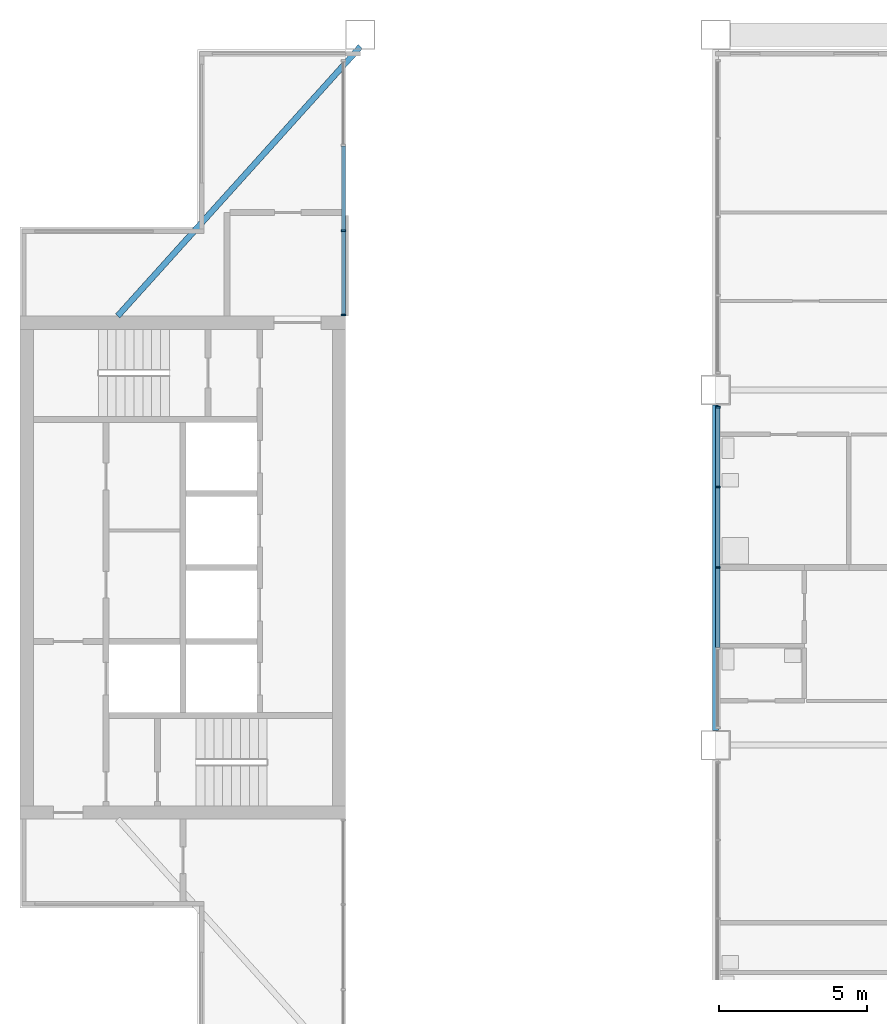
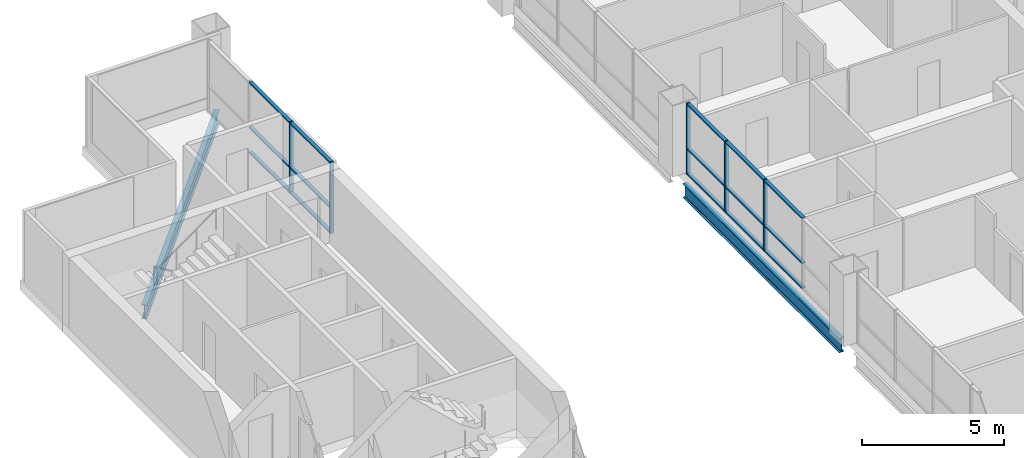
# One storey, part 3 of 13: 20 members, 2 beams, 2 elements without a shape of their own.
"""IFC4 building model written with IfcOpenShell, lengths in metres."""

from ifc_helpers import new_model, si_unit, direction, frame, origin, origin_2d, place, context, subcontext, project, spatial, rectangle, i_section, extrude, material, material_profile, profile_set, type_object, element, aggregate, save


model = new_model("IFC4")

# Units and contexts
model_context = context("Model", 3, precision=1e-05, world=origin(), true_north=direction((0.0, 1.0)))
body_context = subcontext(model_context, "Body", "Model", "MODEL_VIEW")
ifc_project = project(units=[si_unit("LENGTHUNIT", "METRE"), si_unit("AREAUNIT", "SQUARE_METRE"), si_unit("VOLUMEUNIT", "CUBIC_METRE"), si_unit("PLANEANGLEUNIT", "RADIAN"), si_unit("MASSUNIT", "GRAM", prefix="KILO")], contexts=[model_context])

# Site, building, storey
site_placement = place(None, origin())
site = spatial("IfcSite", under=ifc_project, at=site_placement, CompositionType="ELEMENT")
building_placement = place(site_placement, origin())
building = spatial("IfcBuilding", under=site, at=building_placement, Name="Kitamizu Gate Tower and Museum", CompositionType="ELEMENT")
storey_placement = place(building_placement, frame((0.0, 0.0, 252.449951171875)))
storey = spatial("IfcBuildingStorey", under=building, at=storey_placement, Name="L68", CompositionType="ELEMENT", Elevation=252.449951171875)

# Beams
ifc_material_1 = material(Name="Steel SM490A", Category="steel")
ifc_material_profile_1 = material_profile(ifc_material_1, i_section(OverallWidth=0.199951171875, OverallDepth=0.60009765625, WebThickness=0.010986328125, FlangeThickness=0.01708984375, FilletRadius=0.02197265625, at=origin_2d()), Name="H-600x200x11x17")
ifc_profile_set_1 = profile_set([ifc_material_profile_1], Name="Steel SM490A")
beam_type = type_object("IfcBeamType", Name="Floor girder FG1 H 600x200x11x17", PredefinedType="BEAM", material=ifc_profile_set_1)
beam_1_placement = place(storey_placement, frame((36.0, 24.5, -0.699951171875), z_axis=(0.0, 1.0, 0.0), x_axis=(-1.0, 0.0, 0.0)))
element("IfcBeam", 1, at=beam_1_placement, inside=storey, type_object=beam_type, Name="Floor girder FG1 x36 L68", PredefinedType="BEAM", context=body_context, shape_type="SweptSolid", body=[
    extrude(i_section(OverallWidth=0.199951171875, OverallDepth=0.60009765625, WebThickness=0.010986328125, FlangeThickness=0.01708984375, FilletRadius=0.02197265625, at=origin_2d()), origin(), (0.0, 0.0, 1.0), 11.0),
])
beam_2_placement = place(storey_placement, frame((24.0, 47.60009765625, -0.699951171875), z_axis=(-0.669409471884, -0.742893639057, 0.0), x_axis=(0.742893639057, -0.669409471884, 0.0)))
element("IfcBeam", 2, at=beam_2_placement, inside=storey, type_object=beam_type, Name="Portal flank girder N L68", PredefinedType="BEAM", context=body_context, shape_type="SweptSolid", body=[
    extrude(i_section(OverallWidth=0.199951171875, OverallDepth=0.60009765625, WebThickness=0.010986328125, FlangeThickness=0.01708984375, FilletRadius=0.02197265625, at=origin_2d()), origin(), (0.0, 0.0, 1.0), 12.24951171875),
])

# Curtain wall, members
ifc_material_2 = material(Name="Bronze anodised aluminium frame, tinted triple glazing", Category="aluminium")
curtain_wall_type = type_object("IfcCurtainWallType", Name="CURTAIN WALL TYPE C SKY AMENITY", PredefinedType="NOTDEFINED", material=ifc_material_2)
curtain_wall_1_placement = place(storey_placement, origin())
curtain_wall_1 = element("IfcCurtainWall", 3, at=curtain_wall_1_placement, inside=storey, type_object=curtain_wall_type, Name="Curtain wall CW-C portal W L68", PredefinedType="NOTDEFINED")
ifc_material_3 = material(Name="Bronze anodised aluminium", Category="aluminium")
ifc_material_profile_2 = material_profile(ifc_material_3, rectangle(XDim=0.06005859375, YDim=0.14990234375, at=origin_2d()), Name="AL 60X150")
ifc_profile_set_2 = profile_set([ifc_material_profile_2], Name="Bronze anodised aluminium")
member_type_1 = type_object("IfcMemberType", Name="MULLION 60 X 150 TYPE C", PredefinedType="MULLION", material=ifc_profile_set_2)
member_1_placement = place(storey_placement, frame((23.425048828125, 38.530029296875, 0.0), z_axis=(0.0, 0.0, 1.0), x_axis=(0.0, 1.0, 0.0)))
member_1 = element("IfcMember", 4, at=member_1_placement, type_object=member_type_1, Name="CW-C mullion 1", PredefinedType="MULLION", context=body_context, shape_type="SweptSolid", body=[
    extrude(rectangle(XDim=0.06005859375, YDim=0.14990234375, at=origin_2d()), origin(), (0.0, 0.0, 1.0), 3.050048828125),
])
member_2_placement = place(storey_placement, frame((23.425048828125, 41.38330078125, 0.0), z_axis=(0.0, 0.0, 1.0), x_axis=(0.0, 1.0, 0.0)))
member_2 = element("IfcMember", 5, at=member_2_placement, type_object=member_type_1, Name="CW-C mullion 2", PredefinedType="MULLION", context=body_context, shape_type="SweptSolid", body=[
    extrude(rectangle(XDim=0.06005859375, YDim=0.14990234375, at=origin_2d()), origin(), (0.0, 0.0, 1.0), 3.050048828125),
])

curtain_wall_2_placement = place(storey_placement, origin())
curtain_wall_2 = element("IfcCurtainWall", 6, at=curtain_wall_2_placement, inside=storey, type_object=curtain_wall_type, Name="Curtain wall CW-C portal E L68", PredefinedType="NOTDEFINED")
member_3_placement = place(storey_placement, frame((36.074951171875, 30.0, 0.0), z_axis=(0.0, 0.0, 1.0), x_axis=(0.0, 1.0, 0.0)))
member_3 = element("IfcMember", 7, at=member_3_placement, type_object=member_type_1, Name="CW-C mullion 3", PredefinedType="MULLION", context=body_context, shape_type="SweptSolid", body=[
    extrude(rectangle(XDim=0.06005859375, YDim=0.14990234375, at=origin_2d()), origin(), (0.0, 0.0, 1.0), 3.050048828125),
])
member_4_placement = place(storey_placement, frame((36.074951171875, 32.722412109375, 0.0), z_axis=(0.0, 0.0, 1.0), x_axis=(0.0, 1.0, 0.0)))
member_4 = element("IfcMember", 8, at=member_4_placement, type_object=member_type_1, Name="CW-C mullion 4", PredefinedType="MULLION", context=body_context, shape_type="SweptSolid", body=[
    extrude(rectangle(XDim=0.06005859375, YDim=0.14990234375, at=origin_2d()), origin(), (0.0, 0.0, 1.0), 3.050048828125),
])
member_5_placement = place(storey_placement, frame((36.074951171875, 35.4150390625, 0.0), z_axis=(0.0, 0.0, 1.0), x_axis=(0.0, 1.0, 0.0)))
member_5 = element("IfcMember", 9, at=member_5_placement, type_object=member_type_1, Name="CW-C mullion 5", PredefinedType="MULLION", context=body_context, shape_type="SweptSolid", body=[
    extrude(rectangle(XDim=0.06005859375, YDim=0.14990234375, at=origin_2d()), origin(), (0.0, 0.0, 1.0), 3.050048828125),
])

# Member
ifc_material_4 = material(Name="Bronze anodised aluminium", Category="aluminium")
ifc_material_profile_3 = material_profile(ifc_material_4, rectangle(XDim=0.139892578125, YDim=0.06005859375, at=origin_2d()), Name="AL 60X140")
ifc_profile_set_3 = profile_set([ifc_material_profile_3], Name="Bronze anodised aluminium")
member_type_2 = type_object("IfcMemberType", Name="TRANSOM 60 X 140 TYPE C", PredefinedType="USERDEFINED", material=ifc_profile_set_3)
member_6_placement = place(storey_placement, frame((23.425048828125, 38.56005859375, 0.030029296875), z_axis=(0.0, 1.0, 0.0), x_axis=(-1.0, 0.0, 0.0)))
member_6 = element("IfcMember", 10, at=member_6_placement, type_object=member_type_2, Name="CW-C transom 1.1", ObjectType="TRANSOM", PredefinedType="USERDEFINED", context=body_context, shape_type="SweptSolid", body=[
    extrude(rectangle(XDim=0.139892578125, YDim=0.06005859375, at=origin_2d()), origin(), (0.0, 0.0, 1.0), 2.793212890625),
])

member_7_placement = place(storey_placement, frame((23.425048828125, 38.56005859375, 1.10009765625), z_axis=(0.0, 1.0, 0.0), x_axis=(-1.0, 0.0, 0.0)))
member_7 = element("IfcMember", 11, at=member_7_placement, type_object=member_type_2, Name="CW-C transom 1.2", ObjectType="TRANSOM", PredefinedType="USERDEFINED", context=body_context, shape_type="SweptSolid", body=[
    extrude(rectangle(XDim=0.139892578125, YDim=0.06005859375, at=origin_2d()), origin(), (0.0, 0.0, 1.0), 2.793212890625),
])

member_8_placement = place(storey_placement, frame((23.425048828125, 38.56005859375, 3.02001953125), z_axis=(0.0, 1.0, 0.0), x_axis=(-1.0, 0.0, 0.0)))
member_8 = element("IfcMember", 12, at=member_8_placement, type_object=member_type_2, Name="CW-C transom 1.3", ObjectType="TRANSOM", PredefinedType="USERDEFINED", context=body_context, shape_type="SweptSolid", body=[
    extrude(rectangle(XDim=0.139892578125, YDim=0.06005859375, at=origin_2d()), origin(), (0.0, 0.0, 1.0), 2.793212890625),
])

member_9_placement = place(storey_placement, frame((23.425048828125, 41.413330078125, 0.030029296875), z_axis=(0.0, 1.0, 0.0), x_axis=(-1.0, 0.0, 0.0)))
member_9 = element("IfcMember", 13, at=member_9_placement, type_object=member_type_2, Name="CW-C transom 2.1", ObjectType="TRANSOM", PredefinedType="USERDEFINED", context=body_context, shape_type="SweptSolid", body=[
    extrude(rectangle(XDim=0.139892578125, YDim=0.06005859375, at=origin_2d()), origin(), (0.0, 0.0, 1.0), 2.8232421875),
])

member_10_placement = place(storey_placement, frame((23.425048828125, 41.413330078125, 1.10009765625), z_axis=(0.0, 1.0, 0.0), x_axis=(-1.0, 0.0, 0.0)))
member_10 = element("IfcMember", 14, at=member_10_placement, type_object=member_type_2, Name="CW-C transom 2.2", ObjectType="TRANSOM", PredefinedType="USERDEFINED", context=body_context, shape_type="SweptSolid", body=[
    extrude(rectangle(XDim=0.139892578125, YDim=0.06005859375, at=origin_2d()), origin(), (0.0, 0.0, 1.0), 2.8232421875),
])

member_11_placement = place(storey_placement, frame((23.425048828125, 41.413330078125, 3.02001953125), z_axis=(0.0, 1.0, 0.0), x_axis=(-1.0, 0.0, 0.0)))
member_11 = element("IfcMember", 15, at=member_11_placement, type_object=member_type_2, Name="CW-C transom 2.3", ObjectType="TRANSOM", PredefinedType="USERDEFINED", context=body_context, shape_type="SweptSolid", body=[
    extrude(rectangle(XDim=0.139892578125, YDim=0.06005859375, at=origin_2d()), origin(), (0.0, 0.0, 1.0), 2.8232421875),
])

aggregate(curtain_wall_1, [member_1, member_2, member_6, member_7, member_8, member_9, member_10, member_11])

member_12_placement = place(storey_placement, frame((36.074951171875, 27.3076171875, 0.030029296875), z_axis=(0.0, 1.0, 0.0), x_axis=(-1.0, 0.0, 0.0)))
member_12 = element("IfcMember", 16, at=member_12_placement, type_object=member_type_2, Name="CW-C transom 2.1", ObjectType="TRANSOM", PredefinedType="USERDEFINED", context=body_context, shape_type="SweptSolid", body=[
    extrude(rectangle(XDim=0.139892578125, YDim=0.06005859375, at=origin_2d()), origin(), (0.0, 0.0, 1.0), 2.662353515625),
])

member_13_placement = place(storey_placement, frame((36.074951171875, 27.3076171875, 1.10009765625), z_axis=(0.0, 1.0, 0.0), x_axis=(-1.0, 0.0, 0.0)))
member_13 = element("IfcMember", 17, at=member_13_placement, type_object=member_type_2, Name="CW-C transom 2.2", ObjectType="TRANSOM", PredefinedType="USERDEFINED", context=body_context, shape_type="SweptSolid", body=[
    extrude(rectangle(XDim=0.139892578125, YDim=0.06005859375, at=origin_2d()), origin(), (0.0, 0.0, 1.0), 2.662353515625),
])

member_14_placement = place(storey_placement, frame((36.074951171875, 27.3076171875, 3.02001953125), z_axis=(0.0, 1.0, 0.0), x_axis=(-1.0, 0.0, 0.0)))
member_14 = element("IfcMember", 18, at=member_14_placement, type_object=member_type_2, Name="CW-C transom 2.3", ObjectType="TRANSOM", PredefinedType="USERDEFINED", context=body_context, shape_type="SweptSolid", body=[
    extrude(rectangle(XDim=0.139892578125, YDim=0.06005859375, at=origin_2d()), origin(), (0.0, 0.0, 1.0), 2.662353515625),
])

member_15_placement = place(storey_placement, frame((36.074951171875, 30.030029296875, 0.030029296875), z_axis=(0.0, 1.0, 0.0), x_axis=(-1.0, 0.0, 0.0)))
member_15 = element("IfcMember", 19, at=member_15_placement, type_object=member_type_2, Name="CW-C transom 3.1", ObjectType="TRANSOM", PredefinedType="USERDEFINED", context=body_context, shape_type="SweptSolid", body=[
    extrude(rectangle(XDim=0.139892578125, YDim=0.06005859375, at=origin_2d()), origin(), (0.0, 0.0, 1.0), 2.662353515625),
])

member_16_placement = place(storey_placement, frame((36.074951171875, 30.030029296875, 1.10009765625), z_axis=(0.0, 1.0, 0.0), x_axis=(-1.0, 0.0, 0.0)))
member_16 = element("IfcMember", 20, at=member_16_placement, type_object=member_type_2, Name="CW-C transom 3.2", ObjectType="TRANSOM", PredefinedType="USERDEFINED", context=body_context, shape_type="SweptSolid", body=[
    extrude(rectangle(XDim=0.139892578125, YDim=0.06005859375, at=origin_2d()), origin(), (0.0, 0.0, 1.0), 2.662353515625),
])

member_17_placement = place(storey_placement, frame((36.074951171875, 30.030029296875, 3.02001953125), z_axis=(0.0, 1.0, 0.0), x_axis=(-1.0, 0.0, 0.0)))
member_17 = element("IfcMember", 21, at=member_17_placement, type_object=member_type_2, Name="CW-C transom 3.3", ObjectType="TRANSOM", PredefinedType="USERDEFINED", context=body_context, shape_type="SweptSolid", body=[
    extrude(rectangle(XDim=0.139892578125, YDim=0.06005859375, at=origin_2d()), origin(), (0.0, 0.0, 1.0), 2.662353515625),
])

member_18_placement = place(storey_placement, frame((36.074951171875, 32.75244140625, 0.030029296875), z_axis=(0.0, 1.0, 0.0), x_axis=(-1.0, 0.0, 0.0)))
member_18 = element("IfcMember", 22, at=member_18_placement, type_object=member_type_2, Name="CW-C transom 4.1", ObjectType="TRANSOM", PredefinedType="USERDEFINED", context=body_context, shape_type="SweptSolid", body=[
    extrude(rectangle(XDim=0.139892578125, YDim=0.06005859375, at=origin_2d()), origin(), (0.0, 0.0, 1.0), 2.632568359375),
])

member_19_placement = place(storey_placement, frame((36.074951171875, 32.75244140625, 1.10009765625), z_axis=(0.0, 1.0, 0.0), x_axis=(-1.0, 0.0, 0.0)))
member_19 = element("IfcMember", 23, at=member_19_placement, type_object=member_type_2, Name="CW-C transom 4.2", ObjectType="TRANSOM", PredefinedType="USERDEFINED", context=body_context, shape_type="SweptSolid", body=[
    extrude(rectangle(XDim=0.139892578125, YDim=0.06005859375, at=origin_2d()), origin(), (0.0, 0.0, 1.0), 2.632568359375),
])

member_20_placement = place(storey_placement, frame((36.074951171875, 32.75244140625, 3.02001953125), z_axis=(0.0, 1.0, 0.0), x_axis=(-1.0, 0.0, 0.0)))
member_20 = element("IfcMember", 24, at=member_20_placement, type_object=member_type_2, Name="CW-C transom 4.3", ObjectType="TRANSOM", PredefinedType="USERDEFINED", context=body_context, shape_type="SweptSolid", body=[
    extrude(rectangle(XDim=0.139892578125, YDim=0.06005859375, at=origin_2d()), origin(), (0.0, 0.0, 1.0), 2.632568359375),
])

aggregate(curtain_wall_2, [member_3, member_4, member_5, member_12, member_13, member_14, member_15, member_16, member_17, member_18, member_19, member_20])

save(model, "model.ifc")
